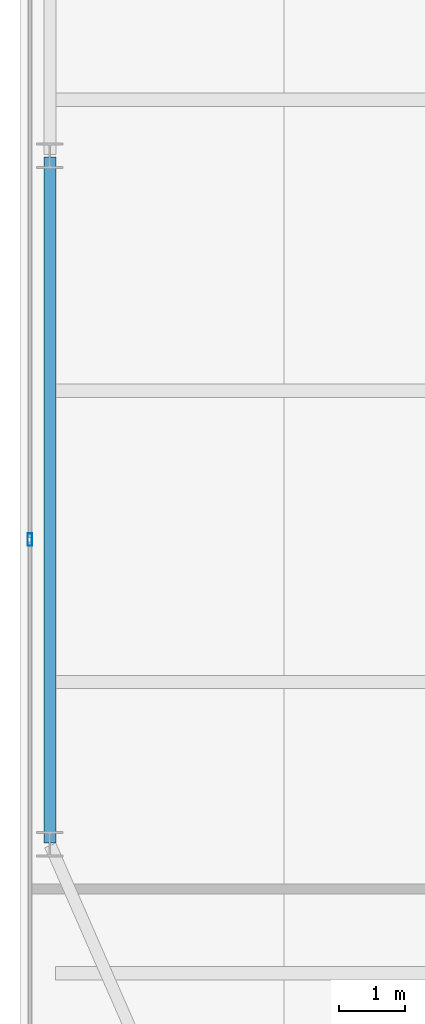
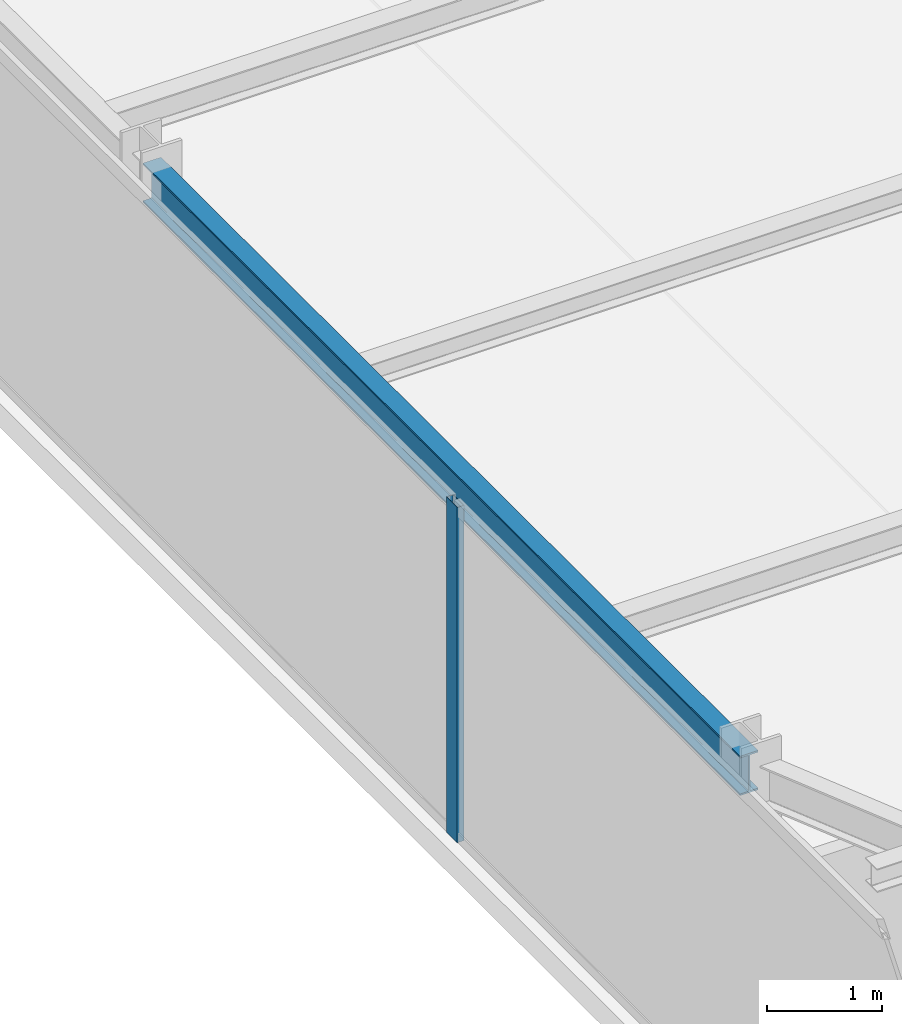
# One storey, part 8 of 32: 1 beam, 1 member, 1 element without a shape of its own.
"""IFC4 building model written with IfcOpenShell, lengths in metres."""

from ifc_helpers import new_model, si_unit, direction, frame, origin, origin_2d, place, context, subcontext, project, spatial, hollow_rectangle, i_section, extrude, source, transform, mapped, material, layer, layer_set, material_profile, profile_set, type_object, type_shapes, element, aggregate, save


model = new_model("IFC4")

# Units and contexts
model_context = context("Model", 3, precision=1e-05, world=origin(), true_north=direction((0.0, 1.0)))
body_context = subcontext(model_context, "Body", "Model", "MODEL_VIEW")
ifc_project = project(units=[si_unit("LENGTHUNIT", "METRE"), si_unit("AREAUNIT", "SQUARE_METRE"), si_unit("VOLUMEUNIT", "CUBIC_METRE"), si_unit("PLANEANGLEUNIT", "RADIAN"), si_unit("MASSUNIT", "GRAM", prefix="KILO")], contexts=[model_context])

# Site, building, storey
site_placement = place(None, origin())
site = spatial("IfcSite", under=ifc_project, at=site_placement, CompositionType="ELEMENT")
building_placement = place(site_placement, origin())
building = spatial("IfcBuilding", under=site, at=building_placement, Name="Varnel Quay Broadcast Tower", CompositionType="ELEMENT")
storey_placement = place(building_placement, frame((0.0, 0.0, 133.39990234375)))
storey = spatial("IfcBuildingStorey", under=building, at=storey_placement, Name="L32", CompositionType="ELEMENT", Elevation=133.39990234375)

# Beam
ifc_material_1 = material(Name="Structural Steel CSA G40.21 350W", Category="steel")
ifc_material_profile_1 = material_profile(ifc_material_1, i_section(OverallWidth=0.180908203125, OverallDepth=0.4169921875, WebThickness=0.010986328125, FlangeThickness=0.018310546875, FilletRadius=0.011962890625, at=origin_2d()), Name="W410X85")
ifc_profile_set_1 = profile_set([ifc_material_profile_1], Name="Structural Steel CSA G40.21 350W")
beam_type = type_object("IfcBeamType", Name="Beam_W410X85", PredefinedType="SPANDREL", material=ifc_profile_set_1)
shared_shape_1 = source(origin(), body_context, "Body", "SweptSolid", [
    extrude(i_section(OverallWidth=0.180908203125, OverallDepth=0.4169921875, WebThickness=0.010986328125, FlangeThickness=0.018310546875, FilletRadius=0.011962890625, at=origin_2d()), origin(), (0.0, 0.0, 1.0), 10.35986328125),
])
type_shapes(beam_type, [shared_shape_1])
beam_placement = place(storey_placement, frame((4.949951171875, 15.02001953125, 3.341552734375), z_axis=(0.0, 1.0, 0.0), x_axis=(-1.0, 0.0, 0.0)))
element("IfcBeam", 1, at=beam_placement, inside=storey, type_object=beam_type, Name="L32 West Spandrel TC-W1-TC-W2", PredefinedType="SPANDREL", context=body_context, shape_type="MappedRepresentation", body=[
    mapped(shared_shape_1, transform((0.0, 0.0, 0.0), x_axis=(1.0, 0.0, 0.0), y_axis=(0.0, 1.0, 0.0), z_axis=(0.0, 0.0, 1.0), scale=1.0)),
])

# Curtain wall, member
ifc_material_2 = material(Name="Anodised Bronze Aluminium 6063-T6", Category="aluminium")
ifc_layer = layer(ifc_material_2, 0.18994140625, Name="Anodised Bronze Aluminium 6063-T6")
ifc_layer_set = layer_set([ifc_layer], Name="Anodised Bronze Aluminium 6063-T6")
curtain_wall_type = type_object("IfcCurtainWallType", Name="CW_LowerTower", PredefinedType="NOTDEFINED", material=ifc_layer_set)
curtain_wall_placement = place(storey_placement, origin())
curtain_wall = element("IfcCurtainWall", 2, at=curtain_wall_placement, inside=storey, type_object=curtain_wall_type, Name="L32 West Unitised Curtain Wall", PredefinedType="NOTDEFINED")
ifc_material_profile_2 = material_profile(ifc_material_2, hollow_rectangle(XDim=0.070068359375, YDim=0.18994140625, WallThickness=0.00390625, at=origin_2d()), Name="ALU70X190X4")
ifc_profile_set_2 = profile_set([ifc_material_profile_2], Name="Anodised Bronze Aluminium 6063-T6")
member_type = type_object("IfcMemberType", Name="Mull_CWS-02", PredefinedType="MULLION", material=ifc_profile_set_2)
shared_shape_2 = source(origin(), body_context, "Body", "SweptSolid", [
    extrude(hollow_rectangle(XDim=0.070068359375, YDim=0.18994140625, WallThickness=0.00390625, at=origin_2d()), origin(), (0.0, 0.0, 1.0), 3.550048828125),
])
type_shapes(member_type, [shared_shape_2])
member_placement = place(storey_placement, frame((4.64990234375, 19.60009765625, 0.0), z_axis=(0.0, 0.0, 1.0), x_axis=(-1.0, 0.0, 0.0)))
member = element("IfcMember", 3, at=member_placement, type_object=member_type, Name="CWS-02 mullion 2", PredefinedType="MULLION", context=body_context, shape_type="MappedRepresentation", body=[
    mapped(shared_shape_2, transform((0.0, 0.0, 0.0), x_axis=(1.0, 0.0, 0.0), y_axis=(0.0, 1.0, 0.0), z_axis=(0.0, 0.0, 1.0), scale=1.0)),
])
aggregate(curtain_wall, [member])

save(model, "model.ifc")
